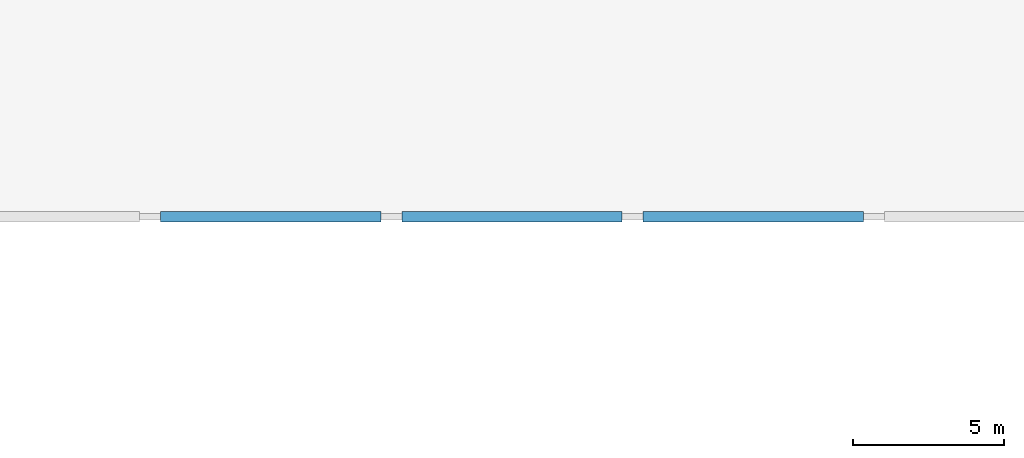
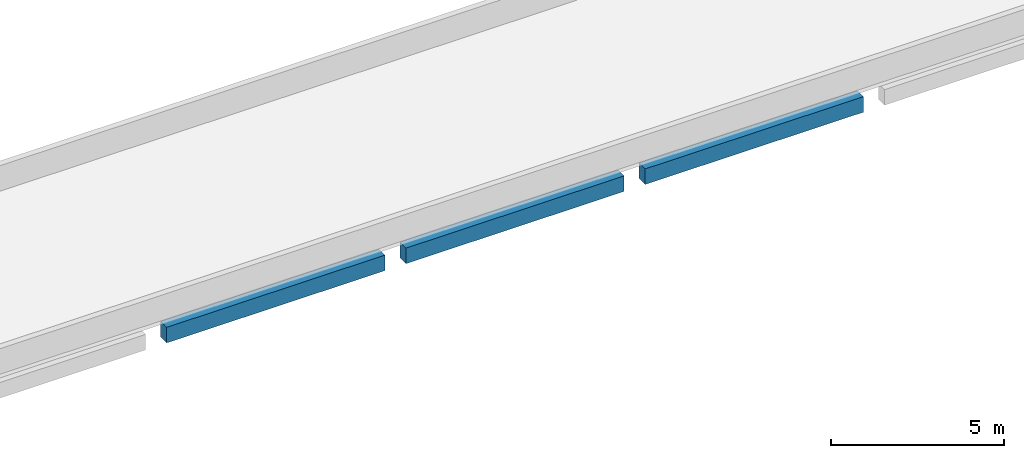
# One storey, part 5 of 38: 3 beams.
"""IFC4 building model written with IfcOpenShell, lengths in metres."""

from ifc_helpers import new_model, si_unit, direction, frame, origin, origin_2d, place, context, subcontext, project, spatial, rectangle, extrude, material, material_profile, profile_set, type_object, element, save


model = new_model("IFC4")

# Units and contexts
model_context = context("Model", 3, precision=1e-05, world=origin(), true_north=direction((0.0, 1.0)))
body_context = subcontext(model_context, "Body", "Model", "MODEL_VIEW")
ifc_project = project(units=[si_unit("LENGTHUNIT", "METRE"), si_unit("AREAUNIT", "SQUARE_METRE"), si_unit("VOLUMEUNIT", "CUBIC_METRE"), si_unit("PLANEANGLEUNIT", "RADIAN"), si_unit("MASSUNIT", "GRAM", prefix="KILO")], contexts=[model_context])

# Site, building, storey
site_placement = place(None, origin())
site = spatial("IfcSite", under=ifc_project, at=site_placement, CompositionType="ELEMENT")
building_placement = place(site_placement, origin())
building = spatial("IfcBuilding", under=site, at=building_placement, Name="Drelvana Railside Aquatics Centre", CompositionType="ELEMENT")
storey_placement = place(building_placement, frame((0.0, 0.0, 14.39990234375)))
storey = spatial("IfcBuildingStorey", under=building, at=storey_placement, Name="L03", CompositionType="ELEMENT", Elevation=14.39990234375)

# Beams
ifc_material = material(Name="Concrete C40/50", Category="concrete")
ifc_material_profile = material_profile(ifc_material, rectangle(XDim=0.35009765625, YDim=0.550048828125, at=origin_2d()), Name="RC 350x550")
ifc_profile_set = profile_set([ifc_material_profile], Name="Concrete C40/50")
beam_type = type_object("IfcBeamType", Name="STR-BM-BM-01-RC-350x550", PredefinedType="BEAM", material=ifc_profile_set)
for number, where, z_axis, x_axis, name in (
    (1, (40.35009765625, 16.0, -0.514892578125), (1.0, 0.0, 0.0), (0.0, 1.0, 0.0), "Girder BM-01 (L03)"),
    (2, (48.35009765625, 16.0, -0.514892578125), (1.0, 0.0, 0.0), (0.0, 1.0, 0.0), "Girder BM-01 (L03)"),
    (3, (56.35009765625, 16.0, -0.514892578125), (1.0, 0.0, 0.0), (0.0, 1.0, 0.0), "Girder BM-01 (L03)"),
):
    element("IfcBeam", number, at=place(storey_placement, frame(where, z_axis=z_axis, x_axis=x_axis)), inside=storey, type_object=beam_type, Name=name, PredefinedType="BEAM", context=body_context, shape_type="SweptSolid", body=[
        extrude(rectangle(XDim=0.35009765625, YDim=0.550048828125, at=origin_2d()), origin(), (0.0, 0.0, 1.0), 7.2998046875),
    ])

save(model, "model.ifc")
